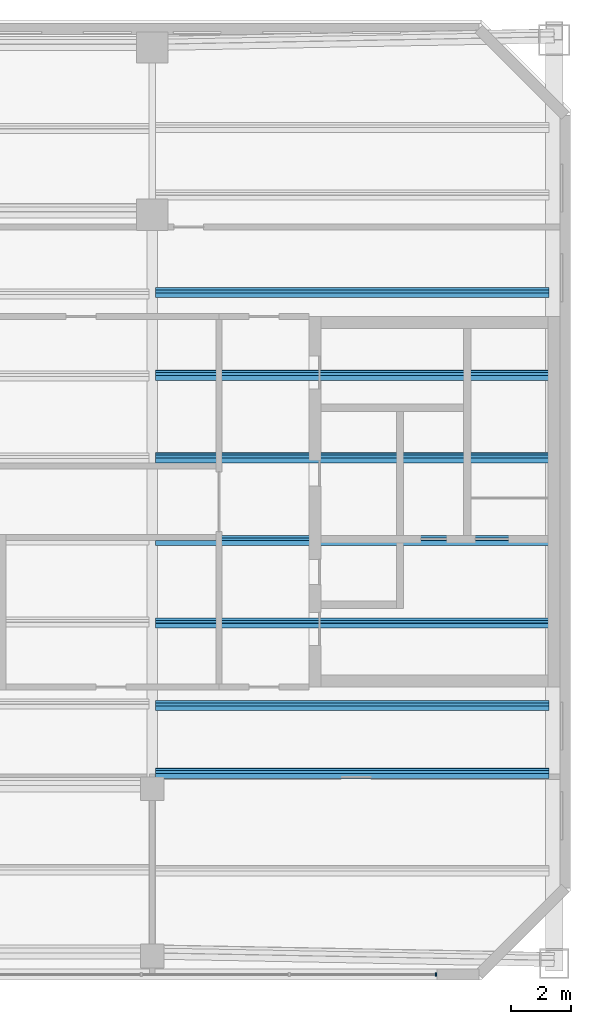
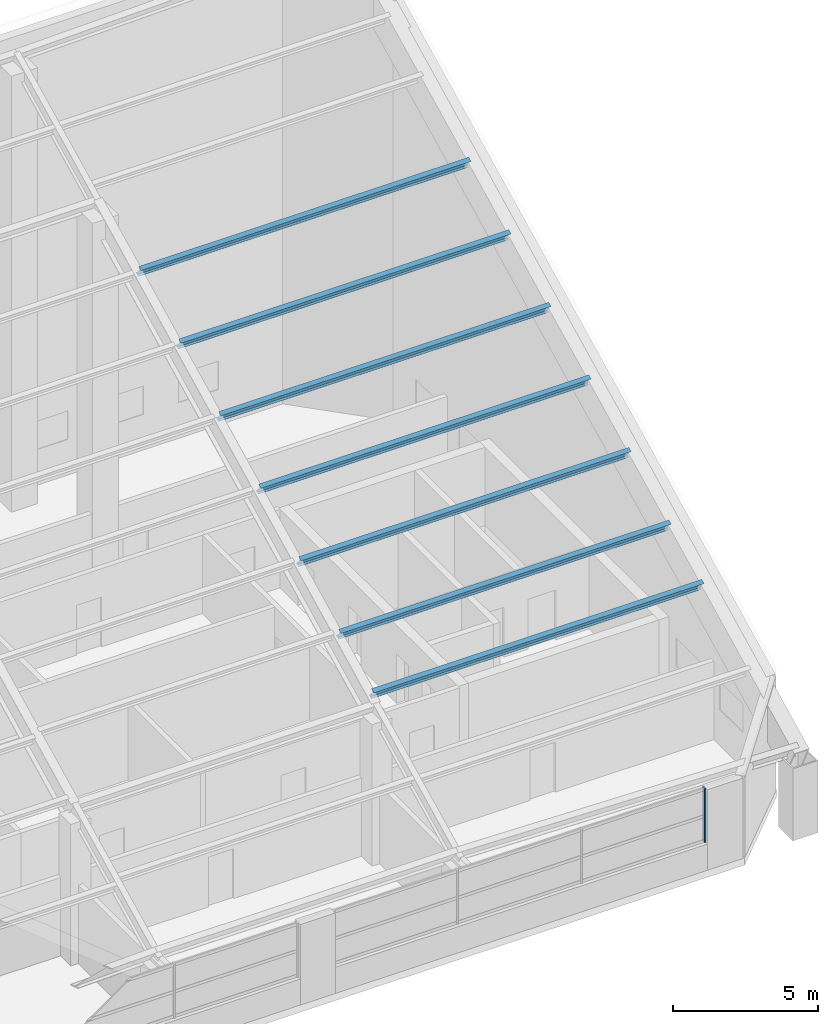
# One storey, part 16 of 28: 8 members, 1 element without a shape of its own.
"""IFC4 building model written with IfcOpenShell, lengths in metres."""

import ifcopenshell
import ifcopenshell.guid

model = None  # the IFC model being written
_history = None  # IfcOwnerHistory: only IFC2X3 demands one
_inside = {}  # id of a spatial element -> (the spatial element, [elements in it])
_under = {}  # id of a project, library or spatial element -> (it, [spatial elements below it])
_declared = {}  # id of a project -> (the project, [libraries it declares])
_typed = {}  # id of a type object -> (the type object, [elements of that type])
_made_of = {}  # id of a material, layer set ... -> (it, [elements and type objects made of it])


def new_model(schema):
    """Start an empty IFC model of exactly this schema.

    Asked for "IFC4X3", IfcOpenShell would pick the latest addendum, in which some entities
    have other attributes; the version numbers below select the first issue.
    IFC2X3 requires an IfcOwnerHistory on every rooted entity: one is made here for all.
    """
    global model, _history
    if schema == "IFC4X3":
        model = ifcopenshell.file(schema_version=(4, 3, 0, 0))
    else:
        model = ifcopenshell.file(schema=schema)
    _inside.clear()
    _under.clear()
    _declared.clear()
    _typed.clear()
    _made_of.clear()
    _history = None
    if model.schema == "IFC2X3":
        org = make("IfcOrganization", Name="unknown")
        user = make(
            "IfcPersonAndOrganization",
            ThePerson=make("IfcPerson", FamilyName="unknown"),
            TheOrganization=org,
        )
        app = make(
            "IfcApplication",
            ApplicationDeveloper=org,
            Version="unknown",
            ApplicationFullName="unknown",
            ApplicationIdentifier="unknown",
        )
        _history = make(
            "IfcOwnerHistory",
            OwningUser=user,
            OwningApplication=app,
            ChangeAction="ADDED",
            CreationDate=0,
        )
    return model


def make(cls, **values):
    """One entity of the class cls with the attributes given. An attribute that is None is left unset."""
    return model.create_entity(
        cls, **{name: value for name, value in values.items() if value is not None}
    )


def rooted(cls, **values):
    """An entity with a GlobalId (a new one), such as an element, a storey or a relation."""
    return make(cls, GlobalId=ifcopenshell.guid.new(), OwnerHistory=_history, **values)


def si_unit(unit_type, name, prefix=None):
    """IfcSIUnit, for example si_unit("LENGTHUNIT", "METRE", prefix="MILLI")."""
    return make("IfcSIUnit", UnitType=unit_type, Prefix=prefix, Name=name)


def assignment(units):
    """IfcUnitAssignment: the units of a project."""
    return None if units is None else make("IfcUnitAssignment", Units=units)


def point(xyz):
    """IfcCartesianPoint."""
    return None if xyz is None else make("IfcCartesianPoint", Coordinates=xyz)


def direction(xyz):
    """IfcDirection."""
    return None if xyz is None else make("IfcDirection", DirectionRatios=xyz)


def frame(location, z_axis=None, x_axis=None):
    """IfcAxis2Placement3D, a coordinate frame: its origin and axes. An axis left out is left unset."""
    return make(
        "IfcAxis2Placement3D",
        Location=point(location),
        Axis=direction(z_axis),
        RefDirection=direction(x_axis),
    )


def frame_2d(location, x_axis=None):
    """IfcAxis2Placement2D, a coordinate frame in the plane: its origin and x axis."""
    return make(
        "IfcAxis2Placement2D", Location=point(location), RefDirection=direction(x_axis)
    )


def origin():
    """The frame at (0, 0, 0) with its axes left unset."""
    return frame((0.0, 0.0, 0.0))


def origin_2d():
    """The frame at (0, 0) in the plane with its x axis left unset."""
    return frame_2d((0.0, 0.0))


def place(relative_to, where):
    """IfcLocalPlacement: puts the frame where relative to a parent placement (None: the world)."""
    return make(
        "IfcLocalPlacement", PlacementRelTo=relative_to, RelativePlacement=where
    )


def context(
    kind, dimensions, precision=None, world=None, true_north=None, identifier=None
):
    """IfcGeometricRepresentationContext, for example the 3D "Model" context."""
    return make(
        "IfcGeometricRepresentationContext",
        ContextIdentifier=identifier,
        ContextType=kind,
        CoordinateSpaceDimension=dimensions,
        Precision=precision,
        WorldCoordinateSystem=world,
        TrueNorth=true_north,
    )


def subcontext(parent, identifier, kind, view, scale=None):
    """IfcGeometricRepresentationSubContext, for example "Body" below "Model"."""
    return make(
        "IfcGeometricRepresentationSubContext",
        ContextIdentifier=identifier,
        ContextType=kind,
        ParentContext=parent,
        TargetScale=scale,
        TargetView=view,
    )


def project(units=None, contexts=None):
    """IfcProject with its units and contexts."""
    return rooted(
        "IfcProject",
        Name="project",
        RepresentationContexts=contexts,
        UnitsInContext=assignment(units),
    )


def spatial(cls, under=None, at=None, **own):
    """A site, building, storey or space (cls), placed at a placement, below another one or the project."""
    s = rooted(cls, ObjectPlacement=at, **own)
    if under is not None:
        _under.setdefault(under.id(), (under, []))[1].append(s)
    return s


def profile(cls, at=None, kind="AREA", **sizes):
    """A parametric profile (cls). Its sizes go by their IFC names, for example OverallWidth=200.0."""
    return make(cls, ProfileType=kind, Position=at, **sizes)


def rectangle(**sizes):
    """IfcRectangleProfileDef."""
    return profile("IfcRectangleProfileDef", **sizes)


def i_section(**sizes):
    """IfcIShapeProfileDef."""
    return profile("IfcIShapeProfileDef", **sizes)


def extrude(swept, where, along, depth):
    """IfcExtrudedAreaSolid: the profile swept, set in the frame where, extruded along a direction by depth."""
    return make(
        "IfcExtrudedAreaSolid",
        SweptArea=swept,
        Position=where,
        ExtrudedDirection=direction(along),
        Depth=depth,
    )


def shape(context_of_items, identifier, shape_type, items):
    """IfcShapeRepresentation: the items that make up one representation, for example the "Body"."""
    return make(
        "IfcShapeRepresentation",
        ContextOfItems=context_of_items,
        RepresentationIdentifier=identifier,
        RepresentationType=shape_type,
        Items=items,
    )


def material(Name=None, Category=None):
    """IfcMaterial."""
    return make("IfcMaterial", Name=Name, Category=Category)


def material_profile(
    of_material, cross_section, Name=None, Category=None, Priority=None
):
    """IfcMaterialProfile: a cross section and its material."""
    return make(
        "IfcMaterialProfile",
        Name=Name,
        Material=of_material,
        Profile=cross_section,
        Priority=Priority,
        Category=Category,
    )


def profile_set(profiles, Name=None, composite=None):
    """IfcMaterialProfileSet."""
    return make(
        "IfcMaterialProfileSet",
        Name=Name,
        MaterialProfiles=profiles,
        CompositeProfile=composite,
    )


def made_of(thing, what):
    """Note that an element or type object is made of a material, layer set ...; save() writes the relation."""
    if what is not None:
        _made_of.setdefault(what.id(), (what, []))[1].append(thing)
    return thing


def type_object(cls, material=None, **own):
    """A type object (cls), such as IfcWallType, which elements share."""
    return made_of(rooted(cls, **own), material)


def element(
    cls,
    number,
    at=None,
    inside=None,
    cuts=None,
    type_object=None,
    material=None,
    context=None,
    identifier="Body",
    shape_type=None,
    held_by="IfcProductDefinitionShape",
    body=None,
    shapes=None,
    **own,
):
    """One element of the class cls, such as IfcWall. Its Tag is "e" and its number.

    at: its placement. inside: the storey or other place that contains it. cuts: it is an
    opening in that element (IfcRelVoidsElement). A single representation is given by context,
    identifier, shape_type and body (its items); several are given by shapes. held_by: the class
    of the entity that holds the representations. save() writes the other relations.
    """
    e = rooted(cls, Tag="e%d" % number, ObjectPlacement=at, **own)
    if body is not None:
        shapes = [shape(context, identifier, shape_type, body)]
    if shapes is not None:
        e.Representation = make(held_by, Representations=shapes)
    if inside is not None:
        _inside.setdefault(inside.id(), (inside, []))[1].append(e)
    if cuts is not None:
        rooted(
            "IfcRelVoidsElement", RelatingBuildingElement=cuts, RelatedOpeningElement=e
        )
    if type_object is not None:
        _typed.setdefault(type_object.id(), (type_object, []))[1].append(e)
    return made_of(e, material)


def aggregate(whole, parts):
    """IfcRelAggregates: a whole, such as a stair, and the parts it consists of."""
    return rooted("IfcRelAggregates", RelatingObject=whole, RelatedObjects=parts)


def save(model, path):
    """Write the relations noted so far, then the file.

    IfcRelAggregates (storeys below a building ...), IfcRelContainedInSpatialStructure (elements
    in a storey), IfcRelDefinesByType, IfcRelAssociatesMaterial and IfcRelDeclares: one each for
    every whole, place, type object, material and project.
    """
    for whole, parts in _under.values():
        aggregate(whole, parts)
    for where, things in _inside.values():
        rooted(
            "IfcRelContainedInSpatialStructure",
            RelatedElements=things,
            RelatingStructure=where,
        )
    for kind, things in _typed.values():
        rooted("IfcRelDefinesByType", RelatedObjects=things, RelatingType=kind)
    for what, things in _made_of.values():
        rooted("IfcRelAssociatesMaterial", RelatedObjects=things, RelatingMaterial=what)
    for by, libraries in _declared.values():
        rooted("IfcRelDeclares", RelatingContext=by, RelatedDefinitions=libraries)
    model.write(path)


model = new_model("IFC4")

# Units and contexts
model_context = context("Model", 3, precision=1e-05, world=origin(), true_north=direction((0.0, 1.0)))
body_context = subcontext(model_context, "Body", "Model", "MODEL_VIEW")
ifc_project = project(units=[si_unit("LENGTHUNIT", "METRE"), si_unit("AREAUNIT", "SQUARE_METRE"), si_unit("VOLUMEUNIT", "CUBIC_METRE"), si_unit("PLANEANGLEUNIT", "RADIAN"), si_unit("MASSUNIT", "GRAM", prefix="KILO")], contexts=[model_context])

# Site, building, storey
site_placement = place(None, origin())
site = spatial("IfcSite", under=ifc_project, at=site_placement, CompositionType="ELEMENT")
building_placement = place(site_placement, origin())
building = spatial("IfcBuilding", under=site, at=building_placement, Name="Tuart Gate Housing", CompositionType="ELEMENT")
storey_placement = place(building_placement, frame((0.0, 0.0, 243.89990234375)))
storey = spatial("IfcBuildingStorey", under=building, at=storey_placement, Name="L68", CompositionType="ELEMENT", Elevation=243.89990234375)

# Members
ifc_material_1 = material(Name="Steel Grade 350", Category="steel")
ifc_material_profile_1 = material_profile(ifc_material_1, i_section(OverallWidth=0.177978515625, OverallDepth=0.403076171875, WebThickness=0.007568359375, FlangeThickness=0.010986328125, at=origin_2d()), Name="410UB53.7")
ifc_profile_set_1 = profile_set([ifc_material_profile_1], Name="Steel Grade 350")
member_type_1 = type_object("IfcMemberType", Name="Crown secondary purlin 410 UB53.7", PredefinedType="PURLIN", material=ifc_profile_set_1)
for number, where, z_axis, x_axis, name in (
    (1, (155.114501953125, 60.91748046875, 6.533447265625), (1.0, 0.0, 0.0), (0.0, 0.89442680992, 0.44721435766), "Crown secondary purlin 27"),
    (2, (155.114501953125, 63.180908203125, 7.665283203125), (1.0, 0.0, 0.0), (0.0, 0.89442680992, 0.44721435766), "Crown secondary purlin 42"),
    (3, (155.114501953125, 65.944580078125, 9.047119140625), (1.0, 0.0, 0.0), (0.0, 0.89442680992, 0.44721435766), "Crown secondary purlin 51"),
    (4, (155.114501953125, 68.708251953125, 10.428955078125), (1.0, 0.0, 0.0), (0.0, 0.89442680992, 0.44721435766), "Crown secondary purlin 66"),
    (5, (155.114501953125, 71.471923828125, 11.810791015625), (1.0, 0.0, 0.0), (0.0, 0.89442680992, 0.44721435766), "Crown secondary purlin 81"),
    (6, (155.114501953125, 74.235595703125, 13.192626953125), (1.0, 0.0, 0.0), (0.0, 0.89442680992, 0.44721435766), "Crown secondary purlin 93"),
    (7, (155.114501953125, 76.999267578125, 14.574462890625), (1.0, 0.0, 0.0), (0.0, 0.89442680992, 0.44721435766), "Crown secondary purlin 102"),
):
    element("IfcMember", number, at=place(storey_placement, frame(where, z_axis=z_axis, x_axis=x_axis)), inside=storey, type_object=member_type_1, Name=name, PredefinedType="PURLIN", context=body_context, shape_type="SweptSolid", body=[
        extrude(i_section(OverallWidth=0.177978515625, OverallDepth=0.403076171875, WebThickness=0.007568359375, FlangeThickness=0.010986328125, at=origin_2d()), origin(), (0.0, 0.0, 1.0), 13.160400390625),
    ])

# Curtain wall, member
ifc_material_2 = material(Name="Aluminium and clear glass", Category="aluminium")
curtain_wall_type = type_object("IfcCurtainWallType", Name="Crown clerestory glazing", PredefinedType="USERDEFINED", material=ifc_material_2)
curtain_wall_placement = place(storey_placement, origin())
curtain_wall = element("IfcCurtainWall", 8, at=curtain_wall_placement, inside=storey, type_object=curtain_wall_type, Name="Crown clerestory glazing BLK-S L68", ObjectType="CROWN CLERESTORY GLAZING", PredefinedType="USERDEFINED")
ifc_material_3 = material(Name="Anodised aluminium", Category="aluminium")
ifc_material_profile_2 = material_profile(ifc_material_3, rectangle(XDim=0.06005859375, YDim=0.125, at=origin_2d()), Name="60x125")
ifc_profile_set_2 = profile_set([ifc_material_profile_2], Name="Anodised aluminium")
member_type_2 = type_object("IfcMemberType", Name="Mullion 60 x 125", PredefinedType="MULLION", material=ifc_profile_set_2)
member_placement = place(storey_placement, frame((164.49560546875, 54.179931640625, 1.10009765625), z_axis=(0.0, 0.0, 1.0), x_axis=(1.0, 0.0, 0.0)))
member = element("IfcMember", 9, at=member_placement, type_object=member_type_2, Name="CW6 mullion 4", PredefinedType="MULLION", context=body_context, shape_type="SweptSolid", body=[
    extrude(rectangle(XDim=0.06005859375, YDim=0.125, at=origin_2d()), origin(), (0.0, 0.0, 1.0), 2.2900390625),
])
aggregate(curtain_wall, [member])

save(model, "model.ifc")
